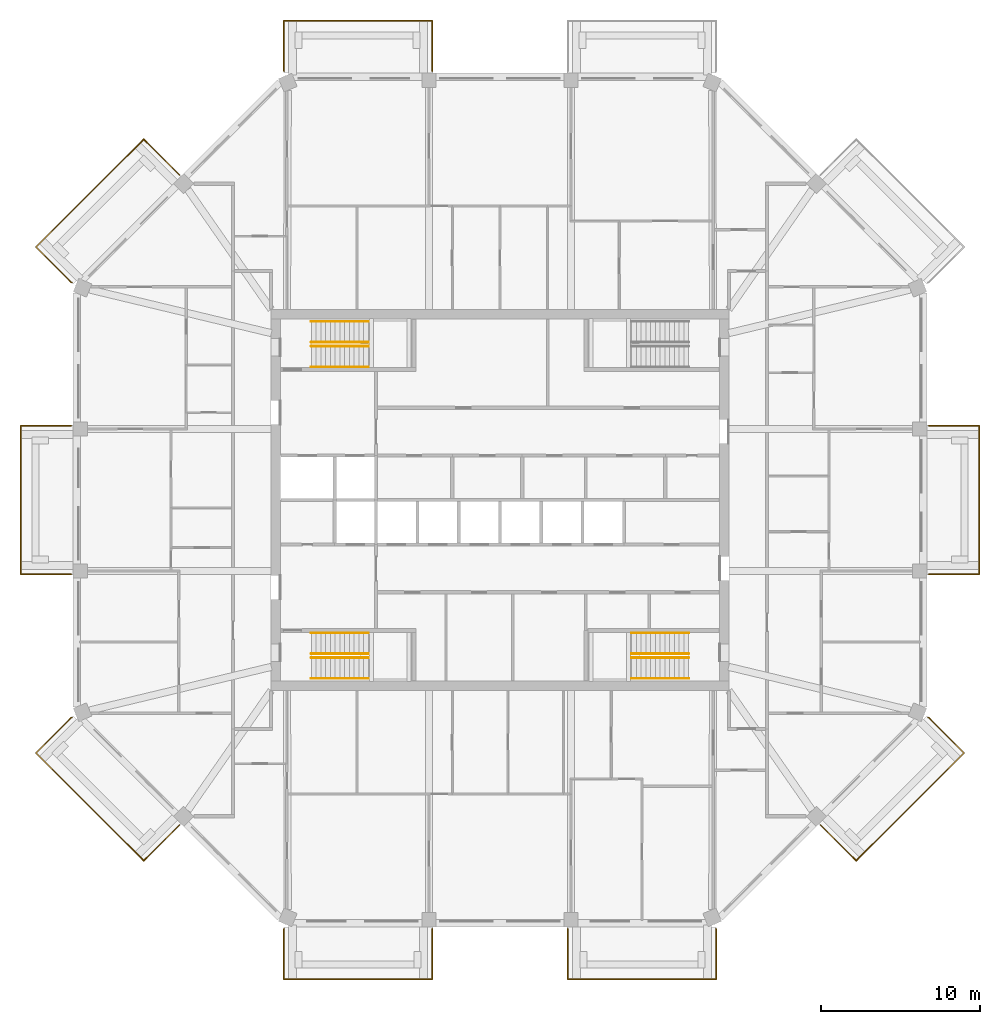
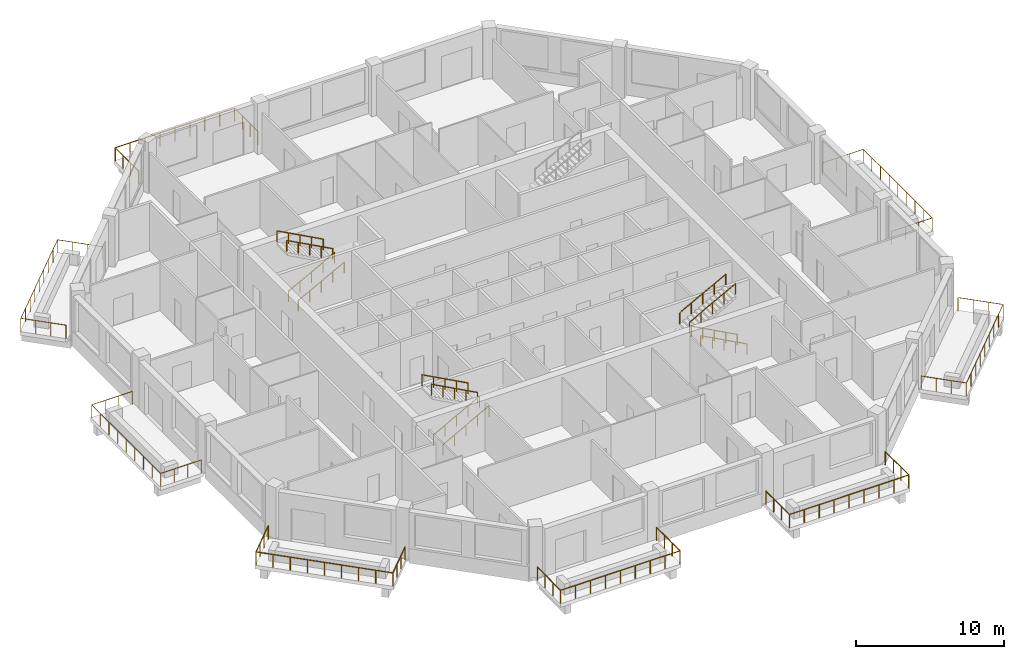
# One storey, part 11 of 12: 20 railings.
"""IFC4 building model written with IfcOpenShell, lengths in metres."""

import ifcopenshell
import ifcopenshell.guid

model = None  # the IFC model being written
_history = None  # IfcOwnerHistory: only IFC2X3 demands one
_inside = {}  # id of a spatial element -> (the spatial element, [elements in it])
_under = {}  # id of a project, library or spatial element -> (it, [spatial elements below it])
_declared = {}  # id of a project -> (the project, [libraries it declares])
_typed = {}  # id of a type object -> (the type object, [elements of that type])
_made_of = {}  # id of a material, layer set ... -> (it, [elements and type objects made of it])


def new_model(schema):
    """Start an empty IFC model of exactly this schema.

    Asked for "IFC4X3", IfcOpenShell would pick the latest addendum, in which some entities
    have other attributes; the version numbers below select the first issue.
    IFC2X3 requires an IfcOwnerHistory on every rooted entity: one is made here for all.
    """
    global model, _history
    if schema == "IFC4X3":
        model = ifcopenshell.file(schema_version=(4, 3, 0, 0))
    else:
        model = ifcopenshell.file(schema=schema)
    _inside.clear()
    _under.clear()
    _declared.clear()
    _typed.clear()
    _made_of.clear()
    _history = None
    if model.schema == "IFC2X3":
        org = make("IfcOrganization", Name="unknown")
        user = make(
            "IfcPersonAndOrganization",
            ThePerson=make("IfcPerson", FamilyName="unknown"),
            TheOrganization=org,
        )
        app = make(
            "IfcApplication",
            ApplicationDeveloper=org,
            Version="unknown",
            ApplicationFullName="unknown",
            ApplicationIdentifier="unknown",
        )
        _history = make(
            "IfcOwnerHistory",
            OwningUser=user,
            OwningApplication=app,
            ChangeAction="ADDED",
            CreationDate=0,
        )
    return model


def make(cls, **values):
    """One entity of the class cls with the attributes given. An attribute that is None is left unset."""
    return model.create_entity(
        cls, **{name: value for name, value in values.items() if value is not None}
    )


def rooted(cls, **values):
    """An entity with a GlobalId (a new one), such as an element, a storey or a relation."""
    return make(cls, GlobalId=ifcopenshell.guid.new(), OwnerHistory=_history, **values)


def si_unit(unit_type, name, prefix=None):
    """IfcSIUnit, for example si_unit("LENGTHUNIT", "METRE", prefix="MILLI")."""
    return make("IfcSIUnit", UnitType=unit_type, Prefix=prefix, Name=name)


def assignment(units):
    """IfcUnitAssignment: the units of a project."""
    return None if units is None else make("IfcUnitAssignment", Units=units)


def point(xyz):
    """IfcCartesianPoint."""
    return None if xyz is None else make("IfcCartesianPoint", Coordinates=xyz)


def direction(xyz):
    """IfcDirection."""
    return None if xyz is None else make("IfcDirection", DirectionRatios=xyz)


def frame(location, z_axis=None, x_axis=None):
    """IfcAxis2Placement3D, a coordinate frame: its origin and axes. An axis left out is left unset."""
    return make(
        "IfcAxis2Placement3D",
        Location=point(location),
        Axis=direction(z_axis),
        RefDirection=direction(x_axis),
    )


def frame_2d(location, x_axis=None):
    """IfcAxis2Placement2D, a coordinate frame in the plane: its origin and x axis."""
    return make(
        "IfcAxis2Placement2D", Location=point(location), RefDirection=direction(x_axis)
    )


def origin():
    """The frame at (0, 0, 0) with its axes left unset."""
    return frame((0.0, 0.0, 0.0))


def origin_2d():
    """The frame at (0, 0) in the plane with its x axis left unset."""
    return frame_2d((0.0, 0.0))


def place(relative_to, where):
    """IfcLocalPlacement: puts the frame where relative to a parent placement (None: the world)."""
    return make(
        "IfcLocalPlacement", PlacementRelTo=relative_to, RelativePlacement=where
    )


def context(
    kind, dimensions, precision=None, world=None, true_north=None, identifier=None
):
    """IfcGeometricRepresentationContext, for example the 3D "Model" context."""
    return make(
        "IfcGeometricRepresentationContext",
        ContextIdentifier=identifier,
        ContextType=kind,
        CoordinateSpaceDimension=dimensions,
        Precision=precision,
        WorldCoordinateSystem=world,
        TrueNorth=true_north,
    )


def subcontext(parent, identifier, kind, view, scale=None):
    """IfcGeometricRepresentationSubContext, for example "Body" below "Model"."""
    return make(
        "IfcGeometricRepresentationSubContext",
        ContextIdentifier=identifier,
        ContextType=kind,
        ParentContext=parent,
        TargetScale=scale,
        TargetView=view,
    )


def project(units=None, contexts=None):
    """IfcProject with its units and contexts."""
    return rooted(
        "IfcProject",
        Name="project",
        RepresentationContexts=contexts,
        UnitsInContext=assignment(units),
    )


def spatial(cls, under=None, at=None, **own):
    """A site, building, storey or space (cls), placed at a placement, below another one or the project."""
    s = rooted(cls, ObjectPlacement=at, **own)
    if under is not None:
        _under.setdefault(under.id(), (under, []))[1].append(s)
    return s


def profile(cls, at=None, kind="AREA", **sizes):
    """A parametric profile (cls). Its sizes go by their IFC names, for example OverallWidth=200.0."""
    return make(cls, ProfileType=kind, Position=at, **sizes)


def circle(**sizes):
    """IfcCircleProfileDef."""
    return profile("IfcCircleProfileDef", **sizes)


def extrude(swept, where, along, depth):
    """IfcExtrudedAreaSolid: the profile swept, set in the frame where, extruded along a direction by depth."""
    return make(
        "IfcExtrudedAreaSolid",
        SweptArea=swept,
        Position=where,
        ExtrudedDirection=direction(along),
        Depth=depth,
    )


def shape(context_of_items, identifier, shape_type, items):
    """IfcShapeRepresentation: the items that make up one representation, for example the "Body"."""
    return make(
        "IfcShapeRepresentation",
        ContextOfItems=context_of_items,
        RepresentationIdentifier=identifier,
        RepresentationType=shape_type,
        Items=items,
    )


def material(Name=None, Category=None):
    """IfcMaterial."""
    return make("IfcMaterial", Name=Name, Category=Category)


def constituent(of_material, Name=None, Category=None, fraction=None):
    """IfcMaterialConstituent: one of the materials an element consists of."""
    return make(
        "IfcMaterialConstituent",
        Name=Name,
        Material=of_material,
        Fraction=fraction,
        Category=Category,
    )


def constituent_set(constituents=None, Name=None):
    """IfcMaterialConstituentSet."""
    return make(
        "IfcMaterialConstituentSet", Name=Name, MaterialConstituents=constituents
    )


def made_of(thing, what):
    """Note that an element or type object is made of a material, layer set ...; save() writes the relation."""
    if what is not None:
        _made_of.setdefault(what.id(), (what, []))[1].append(thing)
    return thing


def type_object(cls, material=None, **own):
    """A type object (cls), such as IfcWallType, which elements share."""
    return made_of(rooted(cls, **own), material)


def element(
    cls,
    number,
    at=None,
    inside=None,
    cuts=None,
    type_object=None,
    material=None,
    context=None,
    identifier="Body",
    shape_type=None,
    held_by="IfcProductDefinitionShape",
    body=None,
    shapes=None,
    **own,
):
    """One element of the class cls, such as IfcWall. Its Tag is "e" and its number.

    at: its placement. inside: the storey or other place that contains it. cuts: it is an
    opening in that element (IfcRelVoidsElement). A single representation is given by context,
    identifier, shape_type and body (its items); several are given by shapes. held_by: the class
    of the entity that holds the representations. save() writes the other relations.
    """
    e = rooted(cls, Tag="e%d" % number, ObjectPlacement=at, **own)
    if body is not None:
        shapes = [shape(context, identifier, shape_type, body)]
    if shapes is not None:
        e.Representation = make(held_by, Representations=shapes)
    if inside is not None:
        _inside.setdefault(inside.id(), (inside, []))[1].append(e)
    if cuts is not None:
        rooted(
            "IfcRelVoidsElement", RelatingBuildingElement=cuts, RelatedOpeningElement=e
        )
    if type_object is not None:
        _typed.setdefault(type_object.id(), (type_object, []))[1].append(e)
    return made_of(e, material)


def aggregate(whole, parts):
    """IfcRelAggregates: a whole, such as a stair, and the parts it consists of."""
    return rooted("IfcRelAggregates", RelatingObject=whole, RelatedObjects=parts)


def save(model, path):
    """Write the relations noted so far, then the file.

    IfcRelAggregates (storeys below a building ...), IfcRelContainedInSpatialStructure (elements
    in a storey), IfcRelDefinesByType, IfcRelAssociatesMaterial and IfcRelDeclares: one each for
    every whole, place, type object, material and project.
    """
    for whole, parts in _under.values():
        aggregate(whole, parts)
    for where, things in _inside.values():
        rooted(
            "IfcRelContainedInSpatialStructure",
            RelatedElements=things,
            RelatingStructure=where,
        )
    for kind, things in _typed.values():
        rooted("IfcRelDefinesByType", RelatedObjects=things, RelatingType=kind)
    for what, things in _made_of.values():
        rooted("IfcRelAssociatesMaterial", RelatedObjects=things, RelatingMaterial=what)
    for by, libraries in _declared.values():
        rooted("IfcRelDeclares", RelatingContext=by, RelatedDefinitions=libraries)
    model.write(path)


model = new_model("IFC4")

# Units and contexts
model_context = context("Model", 3, precision=1e-05, world=origin(), true_north=direction((0.0, 1.0)))
body_context = subcontext(model_context, "Body", "Model", "MODEL_VIEW")
ifc_project = project(units=[si_unit("LENGTHUNIT", "METRE"), si_unit("AREAUNIT", "SQUARE_METRE"), si_unit("VOLUMEUNIT", "CUBIC_METRE"), si_unit("PLANEANGLEUNIT", "RADIAN"), si_unit("MASSUNIT", "GRAM", prefix="KILO")], contexts=[model_context])

# Site, building, storey
site_placement = place(None, origin())
site = spatial("IfcSite", under=ifc_project, at=site_placement, CompositionType="ELEMENT")
building_placement = place(site_placement, origin())
building = spatial("IfcBuilding", under=site, at=building_placement, Name="Msitu Wima Residences", CompositionType="ELEMENT")
storey_placement = place(building_placement, frame((0.0, 0.0, 222.300048828125)))
storey = spatial("IfcBuildingStorey", under=building, at=storey_placement, Name="L51", CompositionType="ELEMENT", Elevation=222.300048828125)

# Railings
ifc_material_1 = material(Name="Steel S355", Category="steel")
ifc_constituent_1 = constituent(ifc_material_1, Name="Steel S355")
ifc_material_2 = material(Name="Weathering patina")
ifc_constituent_2 = constituent(ifc_material_2, Name="Weathering patina")
ifc_constituent_set_1 = constituent_set(constituents=[ifc_constituent_1, ifc_constituent_2], Name="Steel S355")
railing_type_1 = type_object("IfcRailingType", Name="Balcony guard GR1100", PredefinedType="GUARDRAIL", material=ifc_constituent_set_1)
railing_1_placement = place(storey_placement, frame((26.97998046875, 4.668701171875, 0.0)))
element("IfcRailing", 1, at=railing_1_placement, inside=storey, type_object=railing_type_1, Name="Balcony guard E1 L51", PredefinedType="GUARDRAIL", context=body_context, shape_type="SweptSolid", body=[
    extrude(circle(Radius=0.02392578125, at=origin_2d()), frame((0.0, 0.0, 1.076171875), z_axis=(1.0, 0.0, 0.0), x_axis=(0.0, 1.0, 0.0)), (0.0, 0.0, 1.0), 3.169921875),
    extrude(circle(Radius=0.02392578125, at=origin_2d()), frame((3.169921875, 0.0, 1.076171875), z_axis=(0.0, -1.0, 0.0), x_axis=(1.0, 0.0, 0.0)), (0.0, 0.0, 1.0), 9.33740234375),
    extrude(circle(Radius=0.02392578125, at=origin_2d()), frame((3.169921875, -9.33740234375, 1.076171875), z_axis=(-1.0, 0.0, 0.0), x_axis=(0.0, -1.0, 0.0)), (0.0, 0.0, 1.0), 3.169921875),
    extrude(circle(Radius=0.02099609375, at=origin_2d()), origin(), (0.0, 0.0, 1.0), 1.052001953125),
    extrude(circle(Radius=0.02099609375, at=origin_2d()), frame((1.056640625, 0.0, 0.0)), (0.0, 0.0, 1.0), 1.052001953125),
    extrude(circle(Radius=0.02099609375, at=origin_2d()), frame((2.11328125, 0.0, 0.0)), (0.0, 0.0, 1.0), 1.052001953125),
    extrude(circle(Radius=0.02099609375, at=origin_2d()), frame((3.169921875, 0.0, 0.0)), (0.0, 0.0, 1.0), 1.052001953125),
    extrude(circle(Radius=0.02099609375, at=origin_2d()), frame((3.169921875, -1.167236328125, 0.0)), (0.0, 0.0, 1.0), 1.052001953125),
    extrude(circle(Radius=0.02099609375, at=origin_2d()), frame((3.169921875, -2.33447265625, 0.0)), (0.0, 0.0, 1.0), 1.052001953125),
    extrude(circle(Radius=0.02099609375, at=origin_2d()), frame((3.169921875, -3.50146484375, 0.0)), (0.0, 0.0, 1.0), 1.052001953125),
    extrude(circle(Radius=0.02099609375, at=origin_2d()), frame((3.169921875, -4.668701171875, 0.0)), (0.0, 0.0, 1.0), 1.052001953125),
    extrude(circle(Radius=0.02099609375, at=origin_2d()), frame((3.169921875, -5.8359375, 0.0)), (0.0, 0.0, 1.0), 1.052001953125),
    extrude(circle(Radius=0.02099609375, at=origin_2d()), frame((3.169921875, -7.0029296875, 0.0)), (0.0, 0.0, 1.0), 1.052001953125),
    extrude(circle(Radius=0.02099609375, at=origin_2d()), frame((3.169921875, -8.170166015625, 0.0)), (0.0, 0.0, 1.0), 1.052001953125),
    extrude(circle(Radius=0.02099609375, at=origin_2d()), frame((3.169921875, -9.33740234375, 0.0)), (0.0, 0.0, 1.0), 1.052001953125),
    extrude(circle(Radius=0.02099609375, at=origin_2d()), frame((2.11328125, -9.33740234375, 0.0)), (0.0, 0.0, 1.0), 1.052001953125),
    extrude(circle(Radius=0.02099609375, at=origin_2d()), frame((1.056640625, -9.33740234375, 0.0)), (0.0, 0.0, 1.0), 1.052001953125),
    extrude(circle(Radius=0.02099609375, at=origin_2d()), frame((0.0, -9.33740234375, 0.0)), (0.0, 0.0, 1.0), 1.052001953125),
])
railing_2_placement = place(storey_placement, frame((-13.592041015625, 26.97998046875, 0.0)))
element("IfcRailing", 2, at=railing_2_placement, inside=storey, type_object=railing_type_1, Name="Balcony guard N2 L51", PredefinedType="GUARDRAIL", context=body_context, shape_type="SweptSolid", body=[
    extrude(circle(Radius=0.02392578125, at=origin_2d()), frame((0.0, 0.0, 1.076171875), z_axis=(-0.384136806859, 0.923276184907, 0.0), x_axis=(-0.923276184907, -0.384136806859, 0.0)), (0.0, 0.0, 1.0), 0.0361328125),
    extrude(circle(Radius=0.02392578125, at=origin_2d()), frame((-0.013916015625, 0.033447265625, 1.076171875), z_axis=(0.0, 1.0, 0.0), x_axis=(-1.0, 0.0, 0.0)), (0.0, 0.0, 1.0), 3.136474609375),
    extrude(circle(Radius=0.02392578125, at=origin_2d()), frame((-0.013916015625, 3.169921875, 1.076171875), z_axis=(1.0, 0.0, 0.0), x_axis=(0.0, 1.0, 0.0)), (0.0, 0.0, 1.0), 9.33740234375),
    extrude(circle(Radius=0.02392578125, at=origin_2d()), frame((9.323486328125, 3.169921875, 1.076171875), z_axis=(0.0, -1.0, 0.0), x_axis=(1.0, 0.0, 0.0)), (0.0, 0.0, 1.0), 3.169921875),
    extrude(circle(Radius=0.02099609375, at=origin_2d()), origin(), (0.0, 0.0, 1.0), 1.052001953125),
    extrude(circle(Radius=0.02099609375, at=origin_2d()), frame((-0.013916015625, 0.033447265625, 0.0)), (0.0, 0.0, 1.0), 1.052001953125),
    extrude(circle(Radius=0.02099609375, at=origin_2d()), frame((-0.013916015625, 1.078857421875, 0.0)), (0.0, 0.0, 1.0), 1.052001953125),
    extrude(circle(Radius=0.02099609375, at=origin_2d()), frame((-0.013916015625, 2.12451171875, 0.0)), (0.0, 0.0, 1.0), 1.052001953125),
    extrude(circle(Radius=0.02099609375, at=origin_2d()), frame((-0.013916015625, 3.169921875, 0.0)), (0.0, 0.0, 1.0), 1.052001953125),
    extrude(circle(Radius=0.02099609375, at=origin_2d()), frame((1.1533203125, 3.169921875, 0.0)), (0.0, 0.0, 1.0), 1.052001953125),
    extrude(circle(Radius=0.02099609375, at=origin_2d()), frame((2.3203125, 3.169921875, 0.0)), (0.0, 0.0, 1.0), 1.052001953125),
    extrude(circle(Radius=0.02099609375, at=origin_2d()), frame((3.487548828125, 3.169921875, 0.0)), (0.0, 0.0, 1.0), 1.052001953125),
    extrude(circle(Radius=0.02099609375, at=origin_2d()), frame((4.65478515625, 3.169921875, 0.0)), (0.0, 0.0, 1.0), 1.052001953125),
    extrude(circle(Radius=0.02099609375, at=origin_2d()), frame((5.822021484375, 3.169921875, 0.0)), (0.0, 0.0, 1.0), 1.052001953125),
    extrude(circle(Radius=0.02099609375, at=origin_2d()), frame((6.9892578125, 3.169921875, 0.0)), (0.0, 0.0, 1.0), 1.052001953125),
    extrude(circle(Radius=0.02099609375, at=origin_2d()), frame((8.15625, 3.169921875, 0.0)), (0.0, 0.0, 1.0), 1.052001953125),
    extrude(circle(Radius=0.02099609375, at=origin_2d()), frame((9.323486328125, 3.169921875, 0.0)), (0.0, 0.0, 1.0), 1.052001953125),
    extrude(circle(Radius=0.02099609375, at=origin_2d()), frame((9.323486328125, 2.11328125, 0.0)), (0.0, 0.0, 1.0), 1.052001953125),
    extrude(circle(Radius=0.02099609375, at=origin_2d()), frame((9.323486328125, 1.056640625, 0.0)), (0.0, 0.0, 1.0), 1.052001953125),
    extrude(circle(Radius=0.02099609375, at=origin_2d()), frame((9.323486328125, 0.0, 0.0)), (0.0, 0.0, 1.0), 1.052001953125),
])
railing_3_placement = place(storey_placement, frame((-26.941650390625, 13.684326171875, 0.0)))
element("IfcRailing", 3, at=railing_3_placement, inside=storey, type_object=railing_type_1, Name="Balcony guard NW1 L51", PredefinedType="GUARDRAIL", context=body_context, shape_type="SweptSolid", body=[
    extrude(circle(Radius=0.02392578125, at=origin_2d()), frame((0.0, 0.0, 1.076171875), z_axis=(-0.92426142649, 0.38176015442, 0.0), x_axis=(-0.38176015442, -0.92426142649, 0.0)), (0.0, 0.0, 1.0), 0.036376953125),
    extrude(circle(Radius=0.02392578125, at=origin_2d()), frame((-0.03369140625, 0.013916015625, 1.076171875), z_axis=(-0.707106781187, 0.707106781187, 0.0), x_axis=(-0.707106781187, -0.707106781187, 0.0)), (0.0, 0.0, 1.0), 3.136474609375),
    extrude(circle(Radius=0.02392578125, at=origin_2d()), frame((-2.25146484375, 2.231689453125, 1.076171875), z_axis=(0.707106781187, 0.707106781187, 0.0), x_axis=(-0.707106781187, 0.707106781187, 0.0)), (0.0, 0.0, 1.0), 9.58837890625),
    extrude(circle(Radius=0.02392578125, at=origin_2d()), frame((4.528564453125, 9.01171875, 1.076171875), z_axis=(0.707106781187, -0.707106781187, 0.0), x_axis=(0.707106781187, 0.707106781187, 0.0)), (0.0, 0.0, 1.0), 3.169921875),
    extrude(circle(Radius=0.02099609375, at=origin_2d()), origin(), (0.0, 0.0, 1.0), 1.052001953125),
    extrude(circle(Radius=0.02099609375, at=origin_2d()), frame((-0.03369140625, 0.013916015625, 0.0)), (0.0, 0.0, 1.0), 1.052001953125),
    extrude(circle(Radius=0.02099609375, at=origin_2d()), frame((-0.77294921875, 0.753173828125, 0.0)), (0.0, 0.0, 1.0), 1.052001953125),
    extrude(circle(Radius=0.02099609375, at=origin_2d()), frame((-1.51220703125, 1.492431640625, 0.0)), (0.0, 0.0, 1.0), 1.052001953125),
    extrude(circle(Radius=0.02099609375, at=origin_2d()), frame((-2.25146484375, 2.231689453125, 0.0)), (0.0, 0.0, 1.0), 1.052001953125),
    extrude(circle(Radius=0.02099609375, at=origin_2d()), frame((-1.404052734375, 3.0791015625, 0.0)), (0.0, 0.0, 1.0), 1.052001953125),
    extrude(circle(Radius=0.02099609375, at=origin_2d()), frame((-0.556396484375, 3.9267578125, 0.0)), (0.0, 0.0, 1.0), 1.052001953125),
    extrude(circle(Radius=0.02099609375, at=origin_2d()), frame((0.291015625, 4.774169921875, 0.0)), (0.0, 0.0, 1.0), 1.052001953125),
    extrude(circle(Radius=0.02099609375, at=origin_2d()), frame((1.138671875, 5.62158203125, 0.0)), (0.0, 0.0, 1.0), 1.052001953125),
    extrude(circle(Radius=0.02099609375, at=origin_2d()), frame((1.986083984375, 6.46923828125, 0.0)), (0.0, 0.0, 1.0), 1.052001953125),
    extrude(circle(Radius=0.02099609375, at=origin_2d()), frame((2.83349609375, 7.316650390625, 0.0)), (0.0, 0.0, 1.0), 1.052001953125),
    extrude(circle(Radius=0.02099609375, at=origin_2d()), frame((3.68115234375, 8.164306640625, 0.0)), (0.0, 0.0, 1.0), 1.052001953125),
    extrude(circle(Radius=0.02099609375, at=origin_2d()), frame((4.528564453125, 9.01171875, 0.0)), (0.0, 0.0, 1.0), 1.052001953125),
    extrude(circle(Radius=0.02099609375, at=origin_2d()), frame((5.275634765625, 8.2646484375, 0.0)), (0.0, 0.0, 1.0), 1.052001953125),
    extrude(circle(Radius=0.02099609375, at=origin_2d()), frame((6.02294921875, 7.517333984375, 0.0)), (0.0, 0.0, 1.0), 1.052001953125),
    extrude(circle(Radius=0.02099609375, at=origin_2d()), frame((6.77001953125, 6.770263671875, 0.0)), (0.0, 0.0, 1.0), 1.052001953125),
])
railing_4_placement = place(storey_placement, frame((-26.97998046875, -4.668701171875, 0.0)))
element("IfcRailing", 4, at=railing_4_placement, inside=storey, type_object=railing_type_1, Name="Balcony guard W1 L51", PredefinedType="GUARDRAIL", context=body_context, shape_type="SweptSolid", body=[
    extrude(circle(Radius=0.02392578125, at=origin_2d()), frame((0.0, 0.0, 1.076171875), z_axis=(-1.0, 0.0, 0.0), x_axis=(0.0, -1.0, 0.0)), (0.0, 0.0, 1.0), 3.169921875),
    extrude(circle(Radius=0.02392578125, at=origin_2d()), frame((-3.169921875, 0.0, 1.076171875), z_axis=(0.0, 1.0, 0.0), x_axis=(-1.0, 0.0, 0.0)), (0.0, 0.0, 1.0), 9.33740234375),
    extrude(circle(Radius=0.02392578125, at=origin_2d()), frame((-3.169921875, 9.33740234375, 1.076171875), z_axis=(1.0, 0.0, 0.0), x_axis=(0.0, 1.0, 0.0)), (0.0, 0.0, 1.0), 3.169921875),
    extrude(circle(Radius=0.02099609375, at=origin_2d()), origin(), (0.0, 0.0, 1.0), 1.052001953125),
    extrude(circle(Radius=0.02099609375, at=origin_2d()), frame((-1.056640625, 0.0, 0.0)), (0.0, 0.0, 1.0), 1.052001953125),
    extrude(circle(Radius=0.02099609375, at=origin_2d()), frame((-2.11328125, 0.0, 0.0)), (0.0, 0.0, 1.0), 1.052001953125),
    extrude(circle(Radius=0.02099609375, at=origin_2d()), frame((-3.169921875, 0.0, 0.0)), (0.0, 0.0, 1.0), 1.052001953125),
    extrude(circle(Radius=0.02099609375, at=origin_2d()), frame((-3.169921875, 1.167236328125, 0.0)), (0.0, 0.0, 1.0), 1.052001953125),
    extrude(circle(Radius=0.02099609375, at=origin_2d()), frame((-3.169921875, 2.33447265625, 0.0)), (0.0, 0.0, 1.0), 1.052001953125),
    extrude(circle(Radius=0.02099609375, at=origin_2d()), frame((-3.169921875, 3.50146484375, 0.0)), (0.0, 0.0, 1.0), 1.052001953125),
    extrude(circle(Radius=0.02099609375, at=origin_2d()), frame((-3.169921875, 4.668701171875, 0.0)), (0.0, 0.0, 1.0), 1.052001953125),
    extrude(circle(Radius=0.02099609375, at=origin_2d()), frame((-3.169921875, 5.8359375, 0.0)), (0.0, 0.0, 1.0), 1.052001953125),
    extrude(circle(Radius=0.02099609375, at=origin_2d()), frame((-3.169921875, 7.0029296875, 0.0)), (0.0, 0.0, 1.0), 1.052001953125),
    extrude(circle(Radius=0.02099609375, at=origin_2d()), frame((-3.169921875, 8.170166015625, 0.0)), (0.0, 0.0, 1.0), 1.052001953125),
    extrude(circle(Radius=0.02099609375, at=origin_2d()), frame((-3.169921875, 9.33740234375, 0.0)), (0.0, 0.0, 1.0), 1.052001953125),
    extrude(circle(Radius=0.02099609375, at=origin_2d()), frame((-2.11328125, 9.33740234375, 0.0)), (0.0, 0.0, 1.0), 1.052001953125),
    extrude(circle(Radius=0.02099609375, at=origin_2d()), frame((-1.056640625, 9.33740234375, 0.0)), (0.0, 0.0, 1.0), 1.052001953125),
    extrude(circle(Radius=0.02099609375, at=origin_2d()), frame((0.0, 9.33740234375, 0.0)), (0.0, 0.0, 1.0), 1.052001953125),
])
railing_5_placement = place(storey_placement, frame((-20.171630859375, -20.45458984375, 0.0)))
element("IfcRailing", 5, at=railing_5_placement, inside=storey, type_object=railing_type_1, Name="Balcony guard SW0 L51", PredefinedType="GUARDRAIL", context=body_context, shape_type="SweptSolid", body=[
    extrude(circle(Radius=0.02392578125, at=origin_2d()), frame((0.0, 0.0, 1.076171875), z_axis=(-0.707106781187, -0.707106781187, 0.0), x_axis=(0.707106781187, -0.707106781187, 0.0)), (0.0, 0.0, 1.0), 3.169921875),
    extrude(circle(Radius=0.02392578125, at=origin_2d()), frame((-2.241455078125, -2.241455078125, 1.076171875), z_axis=(-0.707106781187, 0.707106781187, 0.0), x_axis=(-0.707106781187, -0.707106781187, 0.0)), (0.0, 0.0, 1.0), 9.58837890625),
    extrude(circle(Radius=0.02392578125, at=origin_2d()), frame((-9.021484375, 4.53857421875, 1.076171875), z_axis=(0.707106781187, 0.707106781187, 0.0), x_axis=(-0.707106781187, 0.707106781187, 0.0)), (0.0, 0.0, 1.0), 3.136474609375),
    extrude(circle(Radius=0.02392578125, at=origin_2d()), frame((-6.8037109375, 6.75634765625, 1.076171875), z_axis=(0.92426142649, 0.38176015442, 0.0), x_axis=(-0.38176015442, 0.92426142649, 0.0)), (0.0, 0.0, 1.0), 0.036376953125),
    extrude(circle(Radius=0.02099609375, at=origin_2d()), origin(), (0.0, 0.0, 1.0), 1.052001953125),
    extrude(circle(Radius=0.02099609375, at=origin_2d()), frame((-0.7470703125, -0.7470703125, 0.0)), (0.0, 0.0, 1.0), 1.052001953125),
    extrude(circle(Radius=0.02099609375, at=origin_2d()), frame((-1.494384765625, -1.494384765625, 0.0)), (0.0, 0.0, 1.0), 1.052001953125),
    extrude(circle(Radius=0.02099609375, at=origin_2d()), frame((-2.241455078125, -2.241455078125, 0.0)), (0.0, 0.0, 1.0), 1.052001953125),
    extrude(circle(Radius=0.02099609375, at=origin_2d()), frame((-3.0888671875, -1.39404296875, 0.0)), (0.0, 0.0, 1.0), 1.052001953125),
    extrude(circle(Radius=0.02099609375, at=origin_2d()), frame((-3.9365234375, -0.54638671875, 0.0)), (0.0, 0.0, 1.0), 1.052001953125),
    extrude(circle(Radius=0.02099609375, at=origin_2d()), frame((-4.783935546875, 0.301025390625, 0.0)), (0.0, 0.0, 1.0), 1.052001953125),
    extrude(circle(Radius=0.02099609375, at=origin_2d()), frame((-5.63134765625, 1.1484375, 0.0)), (0.0, 0.0, 1.0), 1.052001953125),
    extrude(circle(Radius=0.02099609375, at=origin_2d()), frame((-6.47900390625, 1.99609375, 0.0)), (0.0, 0.0, 1.0), 1.052001953125),
    extrude(circle(Radius=0.02099609375, at=origin_2d()), frame((-7.326416015625, 2.843505859375, 0.0)), (0.0, 0.0, 1.0), 1.052001953125),
    extrude(circle(Radius=0.02099609375, at=origin_2d()), frame((-8.174072265625, 3.691162109375, 0.0)), (0.0, 0.0, 1.0), 1.052001953125),
    extrude(circle(Radius=0.02099609375, at=origin_2d()), frame((-9.021484375, 4.53857421875, 0.0)), (0.0, 0.0, 1.0), 1.052001953125),
    extrude(circle(Radius=0.02099609375, at=origin_2d()), frame((-8.2822265625, 5.27783203125, 0.0)), (0.0, 0.0, 1.0), 1.052001953125),
    extrude(circle(Radius=0.02099609375, at=origin_2d()), frame((-7.54296875, 6.01708984375, 0.0)), (0.0, 0.0, 1.0), 1.052001953125),
    extrude(circle(Radius=0.02099609375, at=origin_2d()), frame((-6.8037109375, 6.75634765625, 0.0)), (0.0, 0.0, 1.0), 1.052001953125),
    extrude(circle(Radius=0.02099609375, at=origin_2d()), frame((-6.77001953125, 6.770263671875, 0.0)), (0.0, 0.0, 1.0), 1.052001953125),
])
railing_6_placement = place(storey_placement, frame((-4.2685546875, -26.97998046875, 0.0)))
element("IfcRailing", 6, at=railing_6_placement, inside=storey, type_object=railing_type_1, Name="Balcony guard S0 L51", PredefinedType="GUARDRAIL", context=body_context, shape_type="SweptSolid", body=[
    extrude(circle(Radius=0.02392578125, at=origin_2d()), frame((0.0, 0.0, 1.076171875), z_axis=(0.0, -1.0, 0.0), x_axis=(1.0, 0.0, 0.0)), (0.0, 0.0, 1.0), 3.169921875),
    extrude(circle(Radius=0.02392578125, at=origin_2d()), frame((0.0, -3.169921875, 1.076171875), z_axis=(-1.0, 0.0, 0.0), x_axis=(0.0, -1.0, 0.0)), (0.0, 0.0, 1.0), 9.33740234375),
    extrude(circle(Radius=0.02392578125, at=origin_2d()), frame((-9.33740234375, -3.169921875, 1.076171875), z_axis=(0.0, 1.0, 0.0), x_axis=(-1.0, 0.0, 0.0)), (0.0, 0.0, 1.0), 3.136474609375),
    extrude(circle(Radius=0.02392578125, at=origin_2d()), frame((-9.33740234375, -0.033447265625, 1.076171875), z_axis=(0.384136806859, 0.923276184907, 0.0), x_axis=(-0.923276184907, 0.384136806859, 0.0)), (0.0, 0.0, 1.0), 0.0361328125),
    extrude(circle(Radius=0.02099609375, at=origin_2d()), origin(), (0.0, 0.0, 1.0), 1.052001953125),
    extrude(circle(Radius=0.02099609375, at=origin_2d()), frame((0.0, -1.056640625, 0.0)), (0.0, 0.0, 1.0), 1.052001953125),
    extrude(circle(Radius=0.02099609375, at=origin_2d()), frame((0.0, -2.11328125, 0.0)), (0.0, 0.0, 1.0), 1.052001953125),
    extrude(circle(Radius=0.02099609375, at=origin_2d()), frame((0.0, -3.169921875, 0.0)), (0.0, 0.0, 1.0), 1.052001953125),
    extrude(circle(Radius=0.02099609375, at=origin_2d()), frame((-1.167236328125, -3.169921875, 0.0)), (0.0, 0.0, 1.0), 1.052001953125),
    extrude(circle(Radius=0.02099609375, at=origin_2d()), frame((-2.33447265625, -3.169921875, 0.0)), (0.0, 0.0, 1.0), 1.052001953125),
    extrude(circle(Radius=0.02099609375, at=origin_2d()), frame((-3.50146484375, -3.169921875, 0.0)), (0.0, 0.0, 1.0), 1.052001953125),
    extrude(circle(Radius=0.02099609375, at=origin_2d()), frame((-4.668701171875, -3.169921875, 0.0)), (0.0, 0.0, 1.0), 1.052001953125),
    extrude(circle(Radius=0.02099609375, at=origin_2d()), frame((-5.8359375, -3.169921875, 0.0)), (0.0, 0.0, 1.0), 1.052001953125),
    extrude(circle(Radius=0.02099609375, at=origin_2d()), frame((-7.0029296875, -3.169921875, 0.0)), (0.0, 0.0, 1.0), 1.052001953125),
    extrude(circle(Radius=0.02099609375, at=origin_2d()), frame((-8.170166015625, -3.169921875, 0.0)), (0.0, 0.0, 1.0), 1.052001953125),
    extrude(circle(Radius=0.02099609375, at=origin_2d()), frame((-9.33740234375, -3.169921875, 0.0)), (0.0, 0.0, 1.0), 1.052001953125),
    extrude(circle(Radius=0.02099609375, at=origin_2d()), frame((-9.33740234375, -2.12451171875, 0.0)), (0.0, 0.0, 1.0), 1.052001953125),
    extrude(circle(Radius=0.02099609375, at=origin_2d()), frame((-9.33740234375, -1.078857421875, 0.0)), (0.0, 0.0, 1.0), 1.052001953125),
    extrude(circle(Radius=0.02099609375, at=origin_2d()), frame((-9.33740234375, -0.033447265625, 0.0)), (0.0, 0.0, 1.0), 1.052001953125),
    extrude(circle(Radius=0.02099609375, at=origin_2d()), frame((-9.323486328125, 0.0, 0.0)), (0.0, 0.0, 1.0), 1.052001953125),
])
railing_7_placement = place(storey_placement, frame((13.592041015625, -26.97998046875, 0.0)))
element("IfcRailing", 7, at=railing_7_placement, inside=storey, type_object=railing_type_1, Name="Balcony guard S2 L51", PredefinedType="GUARDRAIL", context=body_context, shape_type="SweptSolid", body=[
    extrude(circle(Radius=0.02392578125, at=origin_2d()), frame((0.0, 0.0, 1.076171875), z_axis=(0.384136806859, -0.923276184907, 0.0), x_axis=(0.923276184907, 0.384136806859, 0.0)), (0.0, 0.0, 1.0), 0.0361328125),
    extrude(circle(Radius=0.02392578125, at=origin_2d()), frame((0.013916015625, -0.033447265625, 1.076171875), z_axis=(0.0, -1.0, 0.0), x_axis=(1.0, 0.0, 0.0)), (0.0, 0.0, 1.0), 3.136474609375),
    extrude(circle(Radius=0.02392578125, at=origin_2d()), frame((0.013916015625, -3.169921875, 1.076171875), z_axis=(-1.0, 0.0, 0.0), x_axis=(0.0, -1.0, 0.0)), (0.0, 0.0, 1.0), 9.33740234375),
    extrude(circle(Radius=0.02392578125, at=origin_2d()), frame((-9.323486328125, -3.169921875, 1.076171875), z_axis=(0.0, 1.0, 0.0), x_axis=(-1.0, 0.0, 0.0)), (0.0, 0.0, 1.0), 3.169921875),
    extrude(circle(Radius=0.02099609375, at=origin_2d()), origin(), (0.0, 0.0, 1.0), 1.052001953125),
    extrude(circle(Radius=0.02099609375, at=origin_2d()), frame((0.013916015625, -0.033447265625, 0.0)), (0.0, 0.0, 1.0), 1.052001953125),
    extrude(circle(Radius=0.02099609375, at=origin_2d()), frame((0.013916015625, -1.078857421875, 0.0)), (0.0, 0.0, 1.0), 1.052001953125),
    extrude(circle(Radius=0.02099609375, at=origin_2d()), frame((0.013916015625, -2.12451171875, 0.0)), (0.0, 0.0, 1.0), 1.052001953125),
    extrude(circle(Radius=0.02099609375, at=origin_2d()), frame((0.013916015625, -3.169921875, 0.0)), (0.0, 0.0, 1.0), 1.052001953125),
    extrude(circle(Radius=0.02099609375, at=origin_2d()), frame((-1.1533203125, -3.169921875, 0.0)), (0.0, 0.0, 1.0), 1.052001953125),
    extrude(circle(Radius=0.02099609375, at=origin_2d()), frame((-2.3203125, -3.169921875, 0.0)), (0.0, 0.0, 1.0), 1.052001953125),
    extrude(circle(Radius=0.02099609375, at=origin_2d()), frame((-3.487548828125, -3.169921875, 0.0)), (0.0, 0.0, 1.0), 1.052001953125),
    extrude(circle(Radius=0.02099609375, at=origin_2d()), frame((-4.65478515625, -3.169921875, 0.0)), (0.0, 0.0, 1.0), 1.052001953125),
    extrude(circle(Radius=0.02099609375, at=origin_2d()), frame((-5.822021484375, -3.169921875, 0.0)), (0.0, 0.0, 1.0), 1.052001953125),
    extrude(circle(Radius=0.02099609375, at=origin_2d()), frame((-6.9892578125, -3.169921875, 0.0)), (0.0, 0.0, 1.0), 1.052001953125),
    extrude(circle(Radius=0.02099609375, at=origin_2d()), frame((-8.15625, -3.169921875, 0.0)), (0.0, 0.0, 1.0), 1.052001953125),
    extrude(circle(Radius=0.02099609375, at=origin_2d()), frame((-9.323486328125, -3.169921875, 0.0)), (0.0, 0.0, 1.0), 1.052001953125),
    extrude(circle(Radius=0.02099609375, at=origin_2d()), frame((-9.323486328125, -2.11328125, 0.0)), (0.0, 0.0, 1.0), 1.052001953125),
    extrude(circle(Radius=0.02099609375, at=origin_2d()), frame((-9.323486328125, -1.056640625, 0.0)), (0.0, 0.0, 1.0), 1.052001953125),
    extrude(circle(Radius=0.02099609375, at=origin_2d()), frame((-9.323486328125, 0.0, 0.0)), (0.0, 0.0, 1.0), 1.052001953125),
])
railing_8_placement = place(storey_placement, frame((26.941650390625, -13.684326171875, 0.0)))
element("IfcRailing", 8, at=railing_8_placement, inside=storey, type_object=railing_type_1, Name="Balcony guard SE1 L51", PredefinedType="GUARDRAIL", context=body_context, shape_type="SweptSolid", body=[
    extrude(circle(Radius=0.02392578125, at=origin_2d()), frame((0.0, 0.0, 1.076171875), z_axis=(0.92426142649, -0.38176015442, 0.0), x_axis=(0.38176015442, 0.92426142649, 0.0)), (0.0, 0.0, 1.0), 0.036376953125),
    extrude(circle(Radius=0.02392578125, at=origin_2d()), frame((0.03369140625, -0.013916015625, 1.076171875), z_axis=(0.707106781187, -0.707106781187, 0.0), x_axis=(0.707106781187, 0.707106781187, 0.0)), (0.0, 0.0, 1.0), 3.136474609375),
    extrude(circle(Radius=0.02392578125, at=origin_2d()), frame((2.25146484375, -2.231689453125, 1.076171875), z_axis=(-0.707106781187, -0.707106781187, 0.0), x_axis=(0.707106781187, -0.707106781187, 0.0)), (0.0, 0.0, 1.0), 9.58837890625),
    extrude(circle(Radius=0.02392578125, at=origin_2d()), frame((-4.528564453125, -9.01171875, 1.076171875), z_axis=(-0.707106781187, 0.707106781187, 0.0), x_axis=(-0.707106781187, -0.707106781187, 0.0)), (0.0, 0.0, 1.0), 3.169921875),
    extrude(circle(Radius=0.02099609375, at=origin_2d()), origin(), (0.0, 0.0, 1.0), 1.052001953125),
    extrude(circle(Radius=0.02099609375, at=origin_2d()), frame((0.03369140625, -0.013916015625, 0.0)), (0.0, 0.0, 1.0), 1.052001953125),
    extrude(circle(Radius=0.02099609375, at=origin_2d()), frame((0.77294921875, -0.753173828125, 0.0)), (0.0, 0.0, 1.0), 1.052001953125),
    extrude(circle(Radius=0.02099609375, at=origin_2d()), frame((1.51220703125, -1.492431640625, 0.0)), (0.0, 0.0, 1.0), 1.052001953125),
    extrude(circle(Radius=0.02099609375, at=origin_2d()), frame((2.25146484375, -2.231689453125, 0.0)), (0.0, 0.0, 1.0), 1.052001953125),
    extrude(circle(Radius=0.02099609375, at=origin_2d()), frame((1.404052734375, -3.0791015625, 0.0)), (0.0, 0.0, 1.0), 1.052001953125),
    extrude(circle(Radius=0.02099609375, at=origin_2d()), frame((0.556396484375, -3.9267578125, 0.0)), (0.0, 0.0, 1.0), 1.052001953125),
    extrude(circle(Radius=0.02099609375, at=origin_2d()), frame((-0.291015625, -4.774169921875, 0.0)), (0.0, 0.0, 1.0), 1.052001953125),
    extrude(circle(Radius=0.02099609375, at=origin_2d()), frame((-1.138671875, -5.62158203125, 0.0)), (0.0, 0.0, 1.0), 1.052001953125),
    extrude(circle(Radius=0.02099609375, at=origin_2d()), frame((-1.986083984375, -6.46923828125, 0.0)), (0.0, 0.0, 1.0), 1.052001953125),
    extrude(circle(Radius=0.02099609375, at=origin_2d()), frame((-2.83349609375, -7.316650390625, 0.0)), (0.0, 0.0, 1.0), 1.052001953125),
    extrude(circle(Radius=0.02099609375, at=origin_2d()), frame((-3.68115234375, -8.164306640625, 0.0)), (0.0, 0.0, 1.0), 1.052001953125),
    extrude(circle(Radius=0.02099609375, at=origin_2d()), frame((-4.528564453125, -9.01171875, 0.0)), (0.0, 0.0, 1.0), 1.052001953125),
    extrude(circle(Radius=0.02099609375, at=origin_2d()), frame((-5.275634765625, -8.2646484375, 0.0)), (0.0, 0.0, 1.0), 1.052001953125),
    extrude(circle(Radius=0.02099609375, at=origin_2d()), frame((-6.02294921875, -7.517333984375, 0.0)), (0.0, 0.0, 1.0), 1.052001953125),
    extrude(circle(Radius=0.02099609375, at=origin_2d()), frame((-6.77001953125, -6.770263671875, 0.0)), (0.0, 0.0, 1.0), 1.052001953125),
])
ifc_constituent_3 = constituent(ifc_material_1, Name="Steel S355")
ifc_material_3 = material(Name="Black powder coating")
ifc_constituent_4 = constituent(ifc_material_3, Name="Black powder coating")
ifc_constituent_set_2 = constituent_set(constituents=[ifc_constituent_3, ifc_constituent_4], Name="Steel S355")
railing_type_2 = type_object("IfcRailingType", Name="Stair handrail HR1", PredefinedType="HANDRAIL", material=ifc_constituent_set_2)
for number, where, name in (
    (9, (-11.875, 8.375, 0.161376953125), "Stair 1 handrail"),
    (10, (-11.875, 9.675048828125, 0.161376953125), "Stair 1 handrail"),
):
    element("IfcRailing", number, at=place(storey_placement, frame(where)), inside=storey, type_object=railing_type_2, Name=name, PredefinedType="HANDRAIL", context=body_context, shape_type="SweptSolid", body=[
        extrude(circle(Radius=0.02392578125, at=origin_2d()), frame((0.0, 0.0, 0.8759765625), z_axis=(0.880474934443, 0.0, 0.474092701714), x_axis=(0.0, 1.0, 0.0)), (0.0, 0.0, 1.0), 4.0888671875),
        extrude(circle(Radius=0.02099609375, at=origin_2d()), origin(), (0.0, 0.0, 1.0), 0.851806640625),
        extrude(circle(Radius=0.02099609375, at=origin_2d()), frame((0.89990234375, 0.0, 0.484619140625)), (0.0, 0.0, 1.0), 0.851806640625),
        extrude(circle(Radius=0.02099609375, at=origin_2d()), frame((1.800048828125, 0.0, 0.96923828125)), (0.0, 0.0, 1.0), 0.851806640625),
        extrude(circle(Radius=0.02099609375, at=origin_2d()), frame((2.7001953125, 0.0, 1.453857421875)), (0.0, 0.0, 1.0), 0.851806640625),
        extrude(circle(Radius=0.02099609375, at=origin_2d()), frame((3.60009765625, 0.0, 1.9384765625)), (0.0, 0.0, 1.0), 0.851806640625),
    ])
for number, where, name in (
    (11, (-8.27490234375, 9.925048828125, 2.261474609375), "Stair 1 handrail"),
    (12, (-8.27490234375, 11.22509765625, 2.261474609375), "Stair 1 handrail"),
):
    element("IfcRailing", number, at=place(storey_placement, frame(where)), inside=storey, type_object=railing_type_2, Name=name, PredefinedType="HANDRAIL", context=body_context, shape_type="SweptSolid", body=[
        extrude(circle(Radius=0.02392578125, at=origin_2d()), frame((0.0, 0.0, 0.8759765625), z_axis=(-0.880474934443, 0.0, 0.474092701714), x_axis=(0.0, -1.0, 0.0)), (0.0, 0.0, 1.0), 4.0888671875),
        extrude(circle(Radius=0.02099609375, at=origin_2d()), origin(), (0.0, 0.0, 1.0), 0.851806640625),
        extrude(circle(Radius=0.02099609375, at=origin_2d()), frame((-0.89990234375, 0.0, 0.484619140625)), (0.0, 0.0, 1.0), 0.851806640625),
        extrude(circle(Radius=0.02099609375, at=origin_2d()), frame((-1.800048828125, 0.0, 0.96923828125)), (0.0, 0.0, 1.0), 0.851806640625),
        extrude(circle(Radius=0.02099609375, at=origin_2d()), frame((-2.7001953125, 0.0, 1.453857421875)), (0.0, 0.0, 1.0), 0.851806640625),
        extrude(circle(Radius=0.02099609375, at=origin_2d()), frame((-3.60009765625, 0.0, 1.9384765625)), (0.0, 0.0, 1.0), 0.851806640625),
    ])
for number, where, name in (
    (13, (-11.875, -11.22509765625, 0.161376953125), "Stair 2 handrail"),
    (14, (-11.875, -9.925048828125, 0.161376953125), "Stair 2 handrail"),
):
    element("IfcRailing", number, at=place(storey_placement, frame(where)), inside=storey, type_object=railing_type_2, Name=name, PredefinedType="HANDRAIL", context=body_context, shape_type="SweptSolid", body=[
        extrude(circle(Radius=0.02392578125, at=origin_2d()), frame((0.0, 0.0, 0.8759765625), z_axis=(0.880474934443, 0.0, 0.474092701714), x_axis=(0.0, 1.0, 0.0)), (0.0, 0.0, 1.0), 4.0888671875),
        extrude(circle(Radius=0.02099609375, at=origin_2d()), origin(), (0.0, 0.0, 1.0), 0.851806640625),
        extrude(circle(Radius=0.02099609375, at=origin_2d()), frame((0.89990234375, 0.0, 0.484619140625)), (0.0, 0.0, 1.0), 0.851806640625),
        extrude(circle(Radius=0.02099609375, at=origin_2d()), frame((1.800048828125, 0.0, 0.96923828125)), (0.0, 0.0, 1.0), 0.851806640625),
        extrude(circle(Radius=0.02099609375, at=origin_2d()), frame((2.7001953125, 0.0, 1.453857421875)), (0.0, 0.0, 1.0), 0.851806640625),
        extrude(circle(Radius=0.02099609375, at=origin_2d()), frame((3.60009765625, 0.0, 1.9384765625)), (0.0, 0.0, 1.0), 0.851806640625),
    ])
for number, where, name in (
    (15, (-8.27490234375, -9.675048828125, 2.261474609375), "Stair 2 handrail"),
    (16, (-8.27490234375, -8.375, 2.261474609375), "Stair 2 handrail"),
    (17, (11.875, -11.22509765625, 0.161376953125), "Stair 4 handrail"),
    (18, (11.875, -9.925048828125, 0.161376953125), "Stair 4 handrail"),
):
    element("IfcRailing", number, at=place(storey_placement, frame(where)), inside=storey, type_object=railing_type_2, Name=name, PredefinedType="HANDRAIL", context=body_context, shape_type="SweptSolid", body=[
        extrude(circle(Radius=0.02392578125, at=origin_2d()), frame((0.0, 0.0, 0.8759765625), z_axis=(-0.880474934443, 0.0, 0.474092701714), x_axis=(0.0, -1.0, 0.0)), (0.0, 0.0, 1.0), 4.0888671875),
        extrude(circle(Radius=0.02099609375, at=origin_2d()), origin(), (0.0, 0.0, 1.0), 0.851806640625),
        extrude(circle(Radius=0.02099609375, at=origin_2d()), frame((-0.89990234375, 0.0, 0.484619140625)), (0.0, 0.0, 1.0), 0.851806640625),
        extrude(circle(Radius=0.02099609375, at=origin_2d()), frame((-1.800048828125, 0.0, 0.96923828125)), (0.0, 0.0, 1.0), 0.851806640625),
        extrude(circle(Radius=0.02099609375, at=origin_2d()), frame((-2.7001953125, 0.0, 1.453857421875)), (0.0, 0.0, 1.0), 0.851806640625),
        extrude(circle(Radius=0.02099609375, at=origin_2d()), frame((-3.60009765625, 0.0, 1.9384765625)), (0.0, 0.0, 1.0), 0.851806640625),
    ])
for number, where, name in (
    (19, (8.27490234375, -9.675048828125, 2.261474609375), "Stair 4 handrail"),
    (20, (8.27490234375, -8.375, 2.261474609375), "Stair 4 handrail"),
):
    element("IfcRailing", number, at=place(storey_placement, frame(where)), inside=storey, type_object=railing_type_2, Name=name, PredefinedType="HANDRAIL", context=body_context, shape_type="SweptSolid", body=[
        extrude(circle(Radius=0.02392578125, at=origin_2d()), frame((0.0, 0.0, 0.8759765625), z_axis=(0.880474934443, 0.0, 0.474092701714), x_axis=(0.0, 1.0, 0.0)), (0.0, 0.0, 1.0), 4.0888671875),
        extrude(circle(Radius=0.02099609375, at=origin_2d()), origin(), (0.0, 0.0, 1.0), 0.851806640625),
        extrude(circle(Radius=0.02099609375, at=origin_2d()), frame((0.89990234375, 0.0, 0.484619140625)), (0.0, 0.0, 1.0), 0.851806640625),
        extrude(circle(Radius=0.02099609375, at=origin_2d()), frame((1.800048828125, 0.0, 0.96923828125)), (0.0, 0.0, 1.0), 0.851806640625),
        extrude(circle(Radius=0.02099609375, at=origin_2d()), frame((2.7001953125, 0.0, 1.453857421875)), (0.0, 0.0, 1.0), 0.851806640625),
        extrude(circle(Radius=0.02099609375, at=origin_2d()), frame((3.60009765625, 0.0, 1.9384765625)), (0.0, 0.0, 1.0), 0.851806640625),
    ])

save(model, "model.ifc")
